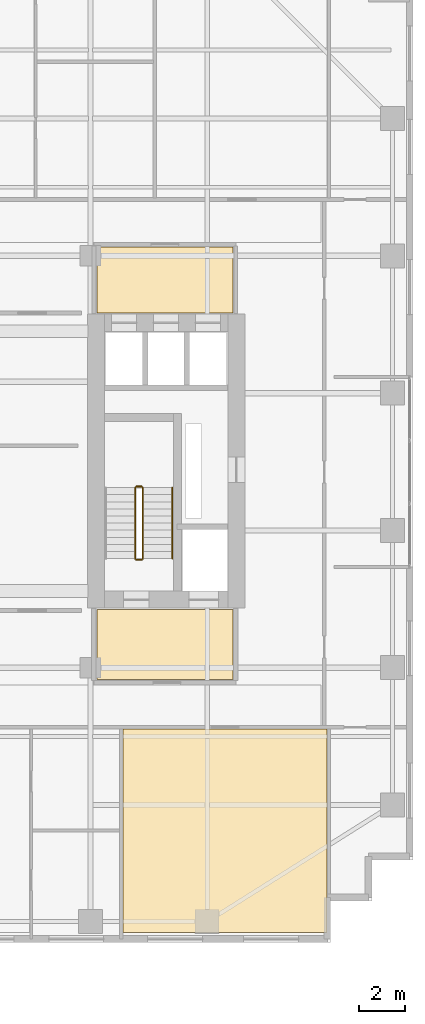
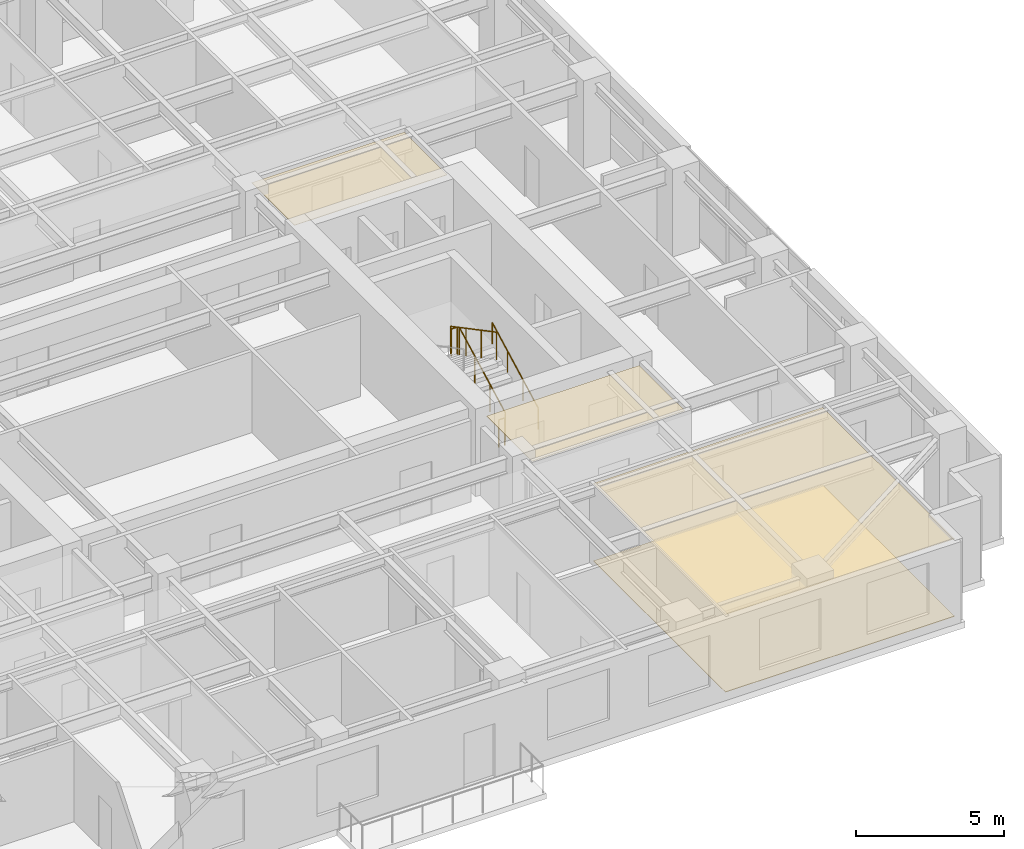
# One storey, part 15 of 16: 5 railings, 4 coverings.
"""IFC4 building model written with IfcOpenShell, lengths in metres."""

from ifc_helpers import new_model, si_unit, direction, frame, origin, origin_2d, place, context, subcontext, project, spatial, polyline, circle, outline, extrude, material, layer, layer_set, type_object, element, save


model = new_model("IFC4")

# Units and contexts
model_context = context("Model", 3, precision=1e-05, world=origin(), true_north=direction((0.0, 1.0)))
body_context = subcontext(model_context, "Body", "Model", "MODEL_VIEW")
ifc_project = project(units=[si_unit("LENGTHUNIT", "METRE"), si_unit("AREAUNIT", "SQUARE_METRE"), si_unit("VOLUMEUNIT", "CUBIC_METRE"), si_unit("PLANEANGLEUNIT", "RADIAN"), si_unit("MASSUNIT", "GRAM", prefix="KILO")], contexts=[model_context])

# Site, building, storey
site_placement = place(None, origin())
site = spatial("IfcSite", under=ifc_project, at=site_placement, CompositionType="ELEMENT")
building_placement = place(site_placement, origin())
building = spatial("IfcBuilding", under=site, at=building_placement, Name="Khoralis Quay Care Tower", CompositionType="ELEMENT")
storey_placement = place(building_placement, frame((0.0, 0.0, 137.699951171875)))
storey = spatial("IfcBuildingStorey", under=building, at=storey_placement, Name="L36", CompositionType="ELEMENT", Elevation=137.699951171875)

# Coverings
ifc_material_1 = material(Name="Mineral-fibre acoustic ceiling tile")
ifc_layer_1 = layer(ifc_material_1, 0.01806640625)
ifc_layer_set_1 = layer_set([ifc_layer_1], Name="Mineral-fibre acoustic ceiling tile")
covering_type_1 = type_object("IfcCoveringType", Name="COV-CEIL-AC18", PredefinedType="CEILING", material=ifc_layer_set_1)
covering_1_placement = place(storey_placement, frame((0.0, 0.0, 3.192138671875)))
element("IfcCovering", 1, at=covering_1_placement, inside=storey, type_object=covering_type_1, Name="Suspended Acoustic Ceiling SP-L36-FFLOB-E", PredefinedType="CEILING", context=body_context, shape_type="SweptSolid", body=[
    extrude(outline(polyline([(31.179931640625, 11.47998046875), (37.1201171875, 11.47998046875), (37.1201171875, 14.550048828125), (31.179931640625, 14.550048828125), (31.179931640625, 11.47998046875)])), origin(), (0.0, 0.0, 1.0), 0.017822265625),
])
covering_2_placement = place(storey_placement, frame((0.0, 0.0, 3.192138671875)))
element("IfcCovering", 2, at=covering_2_placement, inside=storey, type_object=covering_type_1, Name="Suspended Acoustic Ceiling SP-L36-LLOB-E", PredefinedType="CEILING", context=body_context, shape_type="SweptSolid", body=[
    extrude(outline(polyline([(31.179931640625, 27.5), (37.1201171875, 27.5), (37.1201171875, 30.389892578125), (31.179931640625, 30.389892578125), (31.179931640625, 27.5)])), origin(), (0.0, 0.0, 1.0), 0.017822265625),
])
covering_3_placement = place(storey_placement, frame((0.0, 0.0, 3.192138671875)))
element("IfcCovering", 3, at=covering_3_placement, inside=storey, type_object=covering_type_1, Name="Suspended Acoustic Ceiling SP-L36-SB-COM2", PredefinedType="CEILING", context=body_context, shape_type="SweptSolid", body=[
    extrude(outline(polyline([(32.320068359375, 0.419921875), (41.239990234375, 0.419921875), (41.239990234375, 9.320068359375), (32.320068359375, 9.320068359375), (32.320068359375, 0.419921875)])), origin(), (0.0, 0.0, 1.0), 0.017822265625),
])
ifc_material_2 = material(Name="Porcelain and non-slip vinyl flooring")
ifc_layer_2 = layer(ifc_material_2, 0.02001953125)
ifc_layer_set_2 = layer_set([ifc_layer_2], Name="Porcelain and non-slip vinyl flooring")
covering_type_2 = type_object("IfcCoveringType", Name="COV-FLOOR-20", PredefinedType="FLOORING", material=ifc_layer_set_2)
covering_4_placement = place(storey_placement, origin())
element("IfcCovering", 4, at=covering_4_placement, inside=storey, type_object=covering_type_2, Name="Resilient Healthcare Flooring SP-L36-SB-COM2", PredefinedType="FLOORING", context=body_context, shape_type="SweptSolid", body=[
    extrude(outline(polyline([(32.320068359375, 0.419921875), (41.239990234375, 0.419921875), (41.239990234375, 9.320068359375), (32.320068359375, 9.320068359375), (32.320068359375, 0.419921875)])), origin(), (0.0, 0.0, 1.0), 0.02001953125),
])

# Railings
ifc_material_3 = material(Name="Brushed stainless steel", Category="steel")
railing_type_1 = type_object("IfcRailingType", Name="RL-GUARD-1150", PredefinedType="GUARDRAIL", material=ifc_material_3)
railing_1_placement = place(storey_placement, frame((33.18994140625, 16.77001953125, 0.16357421875)))
element("IfcRailing", 5, at=railing_1_placement, inside=storey, type_object=railing_type_1, Name="L36 ST-T2 stair guard 1", PredefinedType="GUARDRAIL", context=body_context, shape_type="SweptSolid", body=[
    extrude(circle(Radius=0.02392578125, at=origin_2d()), frame((0.0, 0.0, 1.1259765625), z_axis=(0.0, 0.884348015382, 0.466828220752), x_axis=(-1.0, 0.0, 0.0)), (0.0, 0.0, 1.0), 3.505615234375),
    extrude(circle(Radius=0.02099609375, at=origin_2d()), origin(), (0.0, 0.0, 1.0), 1.101806640625),
    extrude(circle(Radius=0.02099609375, at=origin_2d()), frame((0.0, 1.033447265625, 0.54541015625)), (0.0, 0.0, 1.0), 1.101806640625),
    extrude(circle(Radius=0.02099609375, at=origin_2d()), frame((0.0, 2.066650390625, 1.091064453125)), (0.0, 0.0, 1.0), 1.101806640625),
    extrude(circle(Radius=0.02099609375, at=origin_2d()), frame((0.0, 3.10009765625, 1.636474609375)), (0.0, 0.0, 1.0), 1.101806640625),
])
railing_2_placement = place(storey_placement, frame((33.139892578125, 19.919921875, 1.800048828125)))
element("IfcRailing", 6, at=railing_2_placement, inside=storey, type_object=railing_type_1, Name="L36 ST-T2 stair guard 2", PredefinedType="GUARDRAIL", context=body_context, shape_type="SweptSolid", body=[
    extrude(circle(Radius=0.02392578125, at=origin_2d()), frame((0.0, 0.0, 1.1259765625), z_axis=(-1.0, 0.0, 0.0), x_axis=(0.0, -1.0, 0.0)), (0.0, 0.0, 1.0), 0.239990234375),
    extrude(circle(Radius=0.02099609375, at=origin_2d()), origin(), (0.0, 0.0, 1.0), 1.101806640625),
    extrude(circle(Radius=0.02099609375, at=origin_2d()), frame((-0.239990234375, 0.0, 0.0)), (0.0, 0.0, 1.0), 1.101806640625),
])
railing_3_placement = place(storey_placement, frame((32.85009765625, 19.8701171875, 1.963623046875)))
element("IfcRailing", 7, at=railing_3_placement, inside=storey, type_object=railing_type_1, Name="L36 ST-T2 stair guard 3", PredefinedType="GUARDRAIL", context=body_context, shape_type="SweptSolid", body=[
    extrude(circle(Radius=0.02392578125, at=origin_2d()), frame((0.0, 0.0, 1.1259765625), z_axis=(0.0, -0.884348015382, 0.466828220752), x_axis=(1.0, 0.0, 0.0)), (0.0, 0.0, 1.0), 3.505615234375),
    extrude(circle(Radius=0.02099609375, at=origin_2d()), origin(), (0.0, 0.0, 1.0), 1.101806640625),
    extrude(circle(Radius=0.02099609375, at=origin_2d()), frame((0.0, -1.033447265625, 0.54541015625)), (0.0, 0.0, 1.0), 1.101806640625),
    extrude(circle(Radius=0.02099609375, at=origin_2d()), frame((0.0, -2.066650390625, 1.091064453125)), (0.0, 0.0, 1.0), 1.101806640625),
    extrude(circle(Radius=0.02099609375, at=origin_2d()), frame((0.0, -3.10009765625, 1.636474609375)), (0.0, 0.0, 1.0), 1.101806640625),
])
railing_4_placement = place(storey_placement, frame((33.139892578125, 16.719970703125, 0.0)))
element("IfcRailing", 8, at=railing_4_placement, inside=storey, type_object=railing_type_1, Name="L36 ST-T2 stair guard 4", PredefinedType="GUARDRAIL", context=body_context, shape_type="SweptSolid", body=[
    extrude(circle(Radius=0.02392578125, at=origin_2d()), frame((0.0, 0.0, 1.1259765625), z_axis=(-1.0, 0.0, 0.0), x_axis=(0.0, -1.0, 0.0)), (0.0, 0.0, 1.0), 0.239990234375),
    extrude(circle(Radius=0.02099609375, at=origin_2d()), origin(), (0.0, 0.0, 1.0), 1.101806640625),
    extrude(circle(Radius=0.02099609375, at=origin_2d()), frame((-0.239990234375, 0.0, 0.0)), (0.0, 0.0, 1.0), 1.101806640625),
])
railing_type_2 = type_object("IfcRailingType", Name="RL-HAND-900", PredefinedType="HANDRAIL", material=ifc_material_3)
railing_5_placement = place(storey_placement, frame((34.469970703125, 16.77001953125, 0.16357421875)))
element("IfcRailing", 9, at=railing_5_placement, inside=storey, type_object=railing_type_2, Name="L36 ST-T2 stair handrail 1", PredefinedType="HANDRAIL", context=body_context, shape_type="SweptSolid", body=[
    extrude(circle(Radius=0.02392578125, at=origin_2d()), frame((0.0, 0.0, 0.8759765625), z_axis=(0.0, 0.884348015382, 0.466828220752), x_axis=(-1.0, 0.0, 0.0)), (0.0, 0.0, 1.0), 3.505615234375),
    extrude(circle(Radius=0.02099609375, at=origin_2d()), origin(), (0.0, 0.0, 1.0), 0.851806640625),
    extrude(circle(Radius=0.02099609375, at=origin_2d()), frame((0.0, 1.033447265625, 0.54541015625)), (0.0, 0.0, 1.0), 0.851806640625),
    extrude(circle(Radius=0.02099609375, at=origin_2d()), frame((0.0, 2.066650390625, 1.091064453125)), (0.0, 0.0, 1.0), 0.851806640625),
    extrude(circle(Radius=0.02099609375, at=origin_2d()), frame((0.0, 3.10009765625, 1.636474609375)), (0.0, 0.0, 1.0), 0.851806640625),
])

save(model, "model.ifc")
